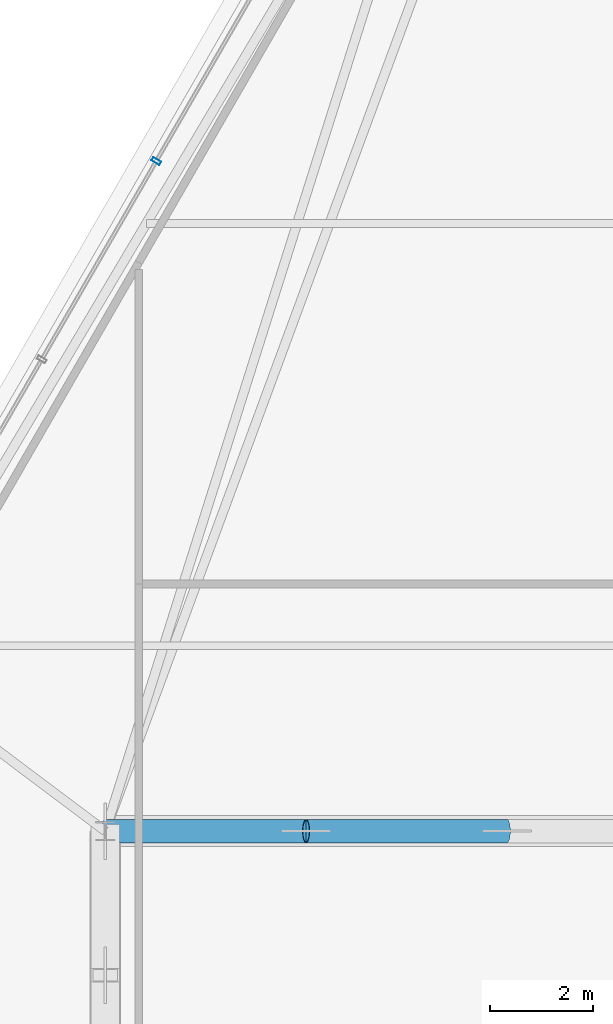
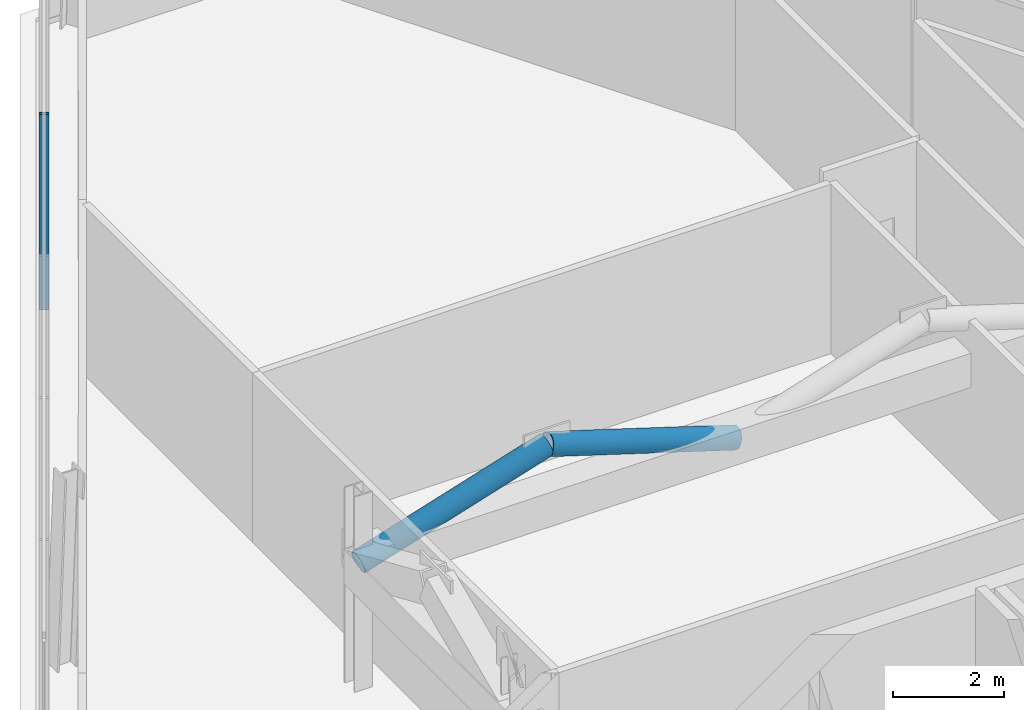
# One storey, part 16 of 32: 3 members, 1 element without a shape of its own.
"""IFC4 building model written with IfcOpenShell, lengths in metres."""

from ifc_helpers import new_model, si_unit, direction, frame, origin, origin_2d, place, context, subcontext, project, spatial, hollow_rectangle, hollow_circle, extrude, material, layer, layer_set, material_profile, profile_set, type_object, element, aggregate, save


model = new_model("IFC4")

# Units and contexts
model_context = context("Model", 3, precision=1e-05, world=origin(), true_north=direction((0.0, 1.0)))
body_context = subcontext(model_context, "Body", "Model", "MODEL_VIEW")
ifc_project = project(units=[si_unit("LENGTHUNIT", "METRE"), si_unit("AREAUNIT", "SQUARE_METRE"), si_unit("VOLUMEUNIT", "CUBIC_METRE"), si_unit("PLANEANGLEUNIT", "RADIAN"), si_unit("MASSUNIT", "GRAM", prefix="KILO")], contexts=[model_context])

# Site, building, storey
site_placement = place(None, origin())
site = spatial("IfcSite", under=ifc_project, at=site_placement, CompositionType="ELEMENT")
building_placement = place(site_placement, origin())
building = spatial("IfcBuilding", under=site, at=building_placement, Name="Ndaravel Arena Tower", CompositionType="ELEMENT")
storey_placement = place(building_placement, frame((0.0, 0.0, 278.800048828125)))
storey = spatial("IfcBuildingStorey", under=building, at=storey_placement, Name="L68", CompositionType="ELEMENT", Elevation=278.800048828125)

# Members
ifc_material_1 = material(Name="Steel S460", Category="steel")
ifc_material_profile_1 = material_profile(ifc_material_1, hollow_circle(Radius=0.228515625, WallThickness=0.02001953125, at=origin_2d()), Name="CHS 457x20")
ifc_profile_set_1 = profile_set([ifc_material_profile_1], Name="Steel S460")
member_type_1 = type_object("IfcMemberType", Name="MEM-BT-DIAG2", PredefinedType="BRACE", material=ifc_profile_set_1)
member_1_placement = place(storey_placement, frame((34.199951171875, 23.199951171875, 2.679931640625), z_axis=(0.954398087492, 0.0, 0.298536916632), x_axis=(0.0, 1.0, 0.0)))
element("IfcMember", 1, at=member_1_placement, inside=storey, type_object=member_type_1, Name="Hat Truss BT-3 Diagonal 01", PredefinedType="BRACE", context=body_context, shape_type="SweptSolid", body=[
    extrude(hollow_circle(Radius=0.228515625, WallThickness=0.02001953125, at=origin_2d()), origin(), (0.0, 0.0, 1.0), 4.08642578125),
])
member_2_placement = place(storey_placement, frame((38.10009765625, 23.199951171875, 3.89990234375), z_axis=(0.954392762463, 0.0, -0.298553939779), x_axis=(0.0, 1.0, 0.0)))
element("IfcMember", 2, at=member_2_placement, inside=storey, type_object=member_type_1, Name="Hat Truss BT-3 Diagonal 02", PredefinedType="BRACE", context=body_context, shape_type="SweptSolid", body=[
    extrude(hollow_circle(Radius=0.228515625, WallThickness=0.02001953125, at=origin_2d()), origin(), (0.0, 0.0, 1.0), 4.086181640625),
])

# Curtain wall, member
ifc_material_2 = material(Name="Aluminium", Category="aluminium")
ifc_layer = layer(ifc_material_2, 0.179931640625)
ifc_layer_set = layer_set([ifc_layer], Name="Aluminium")
curtain_wall_type = type_object("IfcCurtainWallType", Name="CW-SYS-03", PredefinedType="NOTDEFINED", material=ifc_layer_set)
curtain_wall_placement = place(storey_placement, origin())
curtain_wall = element("IfcCurtainWall", 3, at=curtain_wall_placement, inside=storey, type_object=curtain_wall_type, Name="L68 Faceted Crystal Curtain Wall CW-L68-E05", PredefinedType="NOTDEFINED")
ifc_material_3 = material(Name="Aluminium", Category="aluminium")
ifc_material_profile_2 = material_profile(ifc_material_3, hollow_rectangle(XDim=0.074951171875, YDim=0.179931640625, WallThickness=0.00390625, at=origin_2d()), Name="CW MULLION 75x180x4")
ifc_profile_set_2 = profile_set([ifc_material_profile_2], Name="Aluminium")
member_type_2 = type_object("IfcMemberType", Name="MEM-CW-MUL180", PredefinedType="MULLION", material=ifc_profile_set_2)
member_3_placement = place(storey_placement, frame((35.190673828125, 36.2099609375, 0.0), z_axis=(0.0, 0.0, 1.0), x_axis=(-0.5, -0.866025403784, 0.0)))
member_3 = element("IfcMember", 4, at=member_3_placement, type_object=member_type_2, Name="CW-L68-E05 Mullion 02", PredefinedType="MULLION", context=body_context, shape_type="SweptSolid", body=[
    extrude(hollow_rectangle(XDim=0.074951171875, YDim=0.179931640625, WallThickness=0.00390625, at=origin_2d()), origin(), (0.0, 0.0, 1.0), 4.280029296875),
])
aggregate(curtain_wall, [member_3])

save(model, "model.ifc")
